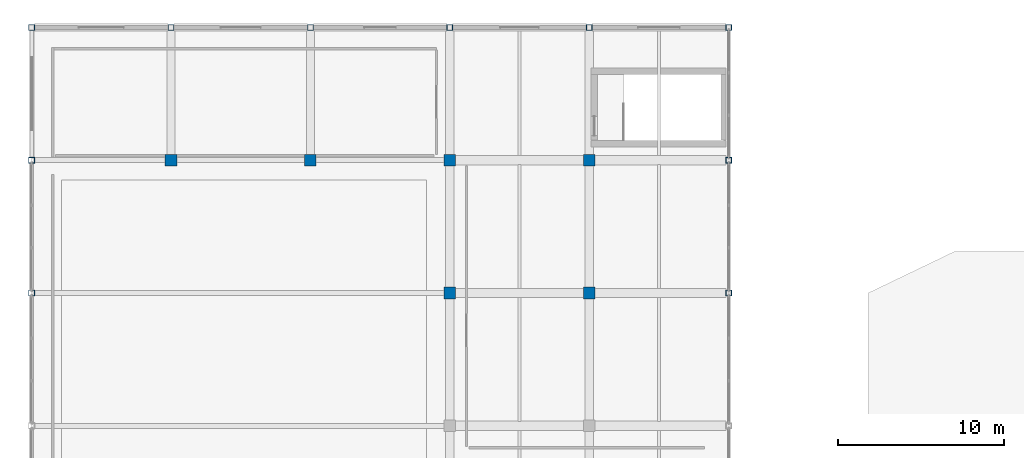
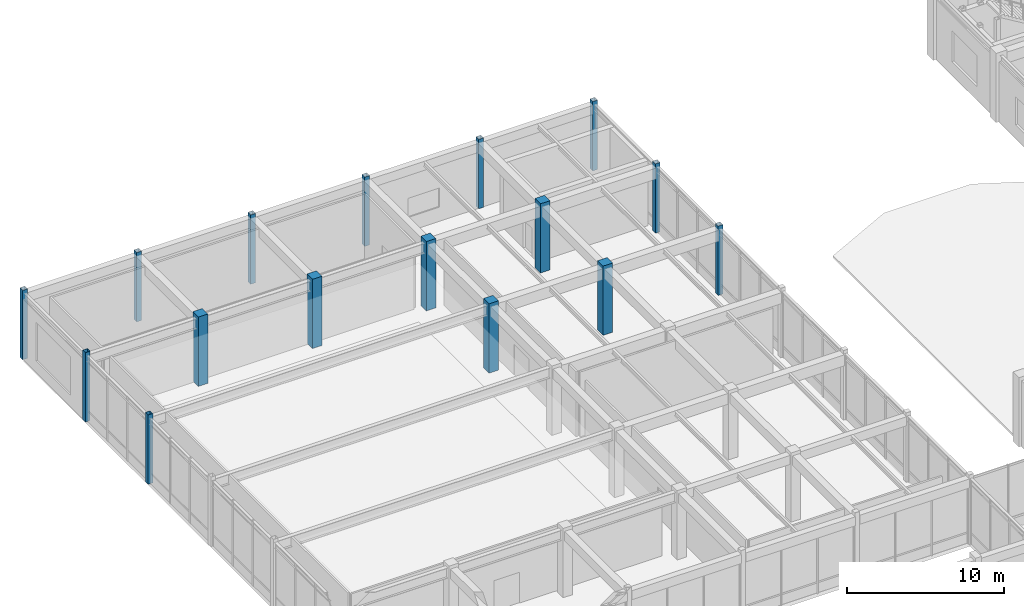
# One storey, part 11 of 79: 16 columns.
"""IFC4 building model written with IfcOpenShell, lengths in metres."""

from ifc_helpers import new_model, si_unit, direction, frame, origin, origin_2d, place, context, subcontext, project, spatial, rectangle, hollow_rectangle, extrude, material, material_profile, profile_set, type_object, element, save


model = new_model("IFC4")

# Units and contexts
model_context = context("Model", 3, precision=1e-05, world=origin(), true_north=direction((0.0, 1.0)))
body_context = subcontext(model_context, "Body", "Model", "MODEL_VIEW")
ifc_project = project(units=[si_unit("LENGTHUNIT", "METRE"), si_unit("AREAUNIT", "SQUARE_METRE"), si_unit("VOLUMEUNIT", "CUBIC_METRE"), si_unit("PLANEANGLEUNIT", "RADIAN"), si_unit("MASSUNIT", "GRAM", prefix="KILO")], contexts=[model_context])

# Site, building, storey
site_placement = place(None, origin())
site = spatial("IfcSite", under=ifc_project, at=site_placement, CompositionType="ELEMENT")
building_placement = place(site_placement, origin())
building = spatial("IfcBuilding", under=site, at=building_placement, Name="Naruveol Harbour Congress Hotel", CompositionType="ELEMENT")
storey_placement = place(building_placement, frame((0.0, 0.0, 6.0)))
storey = spatial("IfcBuildingStorey", under=building, at=storey_placement, Name="L01", CompositionType="ELEMENT", Elevation=6.0)

# Columns
ifc_material_1 = material(Name="Concrete C40/50", Category="concrete")
ifc_material_profile_1 = material_profile(ifc_material_1, rectangle(XDim=0.699951171875, YDim=0.699951171875, at=origin_2d()), Name="RC-700x700")
ifc_profile_set_1 = profile_set([ifc_material_profile_1], Name="Concrete C40/50")
column_type_1 = type_object("IfcColumnType", Name="RC HOTEL COLUMN 700X700", PredefinedType="COLUMN", material=ifc_profile_set_1)
for number, where, z_axis, x_axis, name in (
    (1, (8.39990234375, 104.0, 0.0), (0.0, 0.0, 1.0), (1.0, 0.0, 0.0), "Column C-700 L01 (8.4,104.0)"),
    (2, (16.800048828125, 104.0, 0.0), (0.0, 0.0, 1.0), (1.0, 0.0, 0.0), "Column C-700 L01 (16.8,104.0)"),
    (3, (25.199951171875, 96.0, 0.0), (0.0, 0.0, 1.0), (1.0, 0.0, 0.0), "Column C-700 L01 (25.2,96.0)"),
    (4, (25.199951171875, 104.0, 0.0), (0.0, 0.0, 1.0), (1.0, 0.0, 0.0), "Column C-700 L01 (25.2,104.0)"),
    (5, (33.60009765625, 96.0, 0.0), (0.0, 0.0, 1.0), (1.0, 0.0, 0.0), "Column C-700 L01 (33.6,96.0)"),
    (6, (33.60009765625, 104.0, 0.0), (0.0, 0.0, 1.0), (1.0, 0.0, 0.0), "Column C-700 L01 (33.6,104.0)"),
):
    element("IfcColumn", number, at=place(storey_placement, frame(where, z_axis=z_axis, x_axis=x_axis)), inside=storey, type_object=column_type_1, Name=name, PredefinedType="COLUMN", context=body_context, shape_type="SweptSolid", body=[
        extrude(rectangle(XDim=0.699951171875, YDim=0.699951171875, at=origin_2d()), origin(), (0.0, 0.0, 1.0), 5.39990234375),
    ])
ifc_material_2 = material(Name="Steel SN490", Category="steel")
ifc_material_profile_2 = material_profile(ifc_material_2, hollow_rectangle(XDim=0.35009765625, YDim=0.35009765625, WallThickness=0.01611328125, at=origin_2d()), Name="SHS-350x350x16")
ifc_profile_set_2 = profile_set([ifc_material_profile_2], Name="Steel SN490")
column_type_2 = type_object("IfcColumnType", Name="STEEL PAVILION COLUMN SHS350", PredefinedType="COLUMN", material=ifc_profile_set_2)
for number, where, z_axis, x_axis, name in (
    (7, (0.0, 96.0, 0.0), (0.0, 0.0, 1.0), (1.0, 0.0, 0.0), "Column SC-S350 L01 (0.0,96.0)"),
    (8, (0.0, 104.0, 0.0), (0.0, 0.0, 1.0), (1.0, 0.0, 0.0), "Column SC-S350 L01 (0.0,104.0)"),
    (9, (0.0, 112.0, 0.0), (0.0, 0.0, 1.0), (1.0, 0.0, 0.0), "Column SC-S350 L01 (0.0,112.0)"),
    (10, (8.39990234375, 112.0, 0.0), (0.0, 0.0, 1.0), (1.0, 0.0, 0.0), "Column SC-S350 L01 (8.4,112.0)"),
    (11, (16.800048828125, 112.0, 0.0), (0.0, 0.0, 1.0), (1.0, 0.0, 0.0), "Column SC-S350 L01 (16.8,112.0)"),
    (12, (25.199951171875, 112.0, 0.0), (0.0, 0.0, 1.0), (1.0, 0.0, 0.0), "Column SC-S350 L01 (25.2,112.0)"),
    (13, (33.60009765625, 112.0, 0.0), (0.0, 0.0, 1.0), (1.0, 0.0, 0.0), "Column SC-S350 L01 (33.6,112.0)"),
    (14, (42.0, 96.0, 0.0), (0.0, 0.0, 1.0), (1.0, 0.0, 0.0), "Column SC-S350 L01 (42.0,96.0)"),
    (15, (42.0, 104.0, 0.0), (0.0, 0.0, 1.0), (1.0, 0.0, 0.0), "Column SC-S350 L01 (42.0,104.0)"),
    (16, (42.0, 112.0, 0.0), (0.0, 0.0, 1.0), (1.0, 0.0, 0.0), "Column SC-S350 L01 (42.0,112.0)"),
):
    element("IfcColumn", number, at=place(storey_placement, frame(where, z_axis=z_axis, x_axis=x_axis)), inside=storey, type_object=column_type_2, Name=name, PredefinedType="COLUMN", context=body_context, shape_type="SweptSolid", body=[
        extrude(hollow_rectangle(XDim=0.35009765625, YDim=0.35009765625, WallThickness=0.01611328125, at=origin_2d()), origin(), (0.0, 0.0, 1.0), 5.39990234375),
    ])

save(model, "model.ifc")
